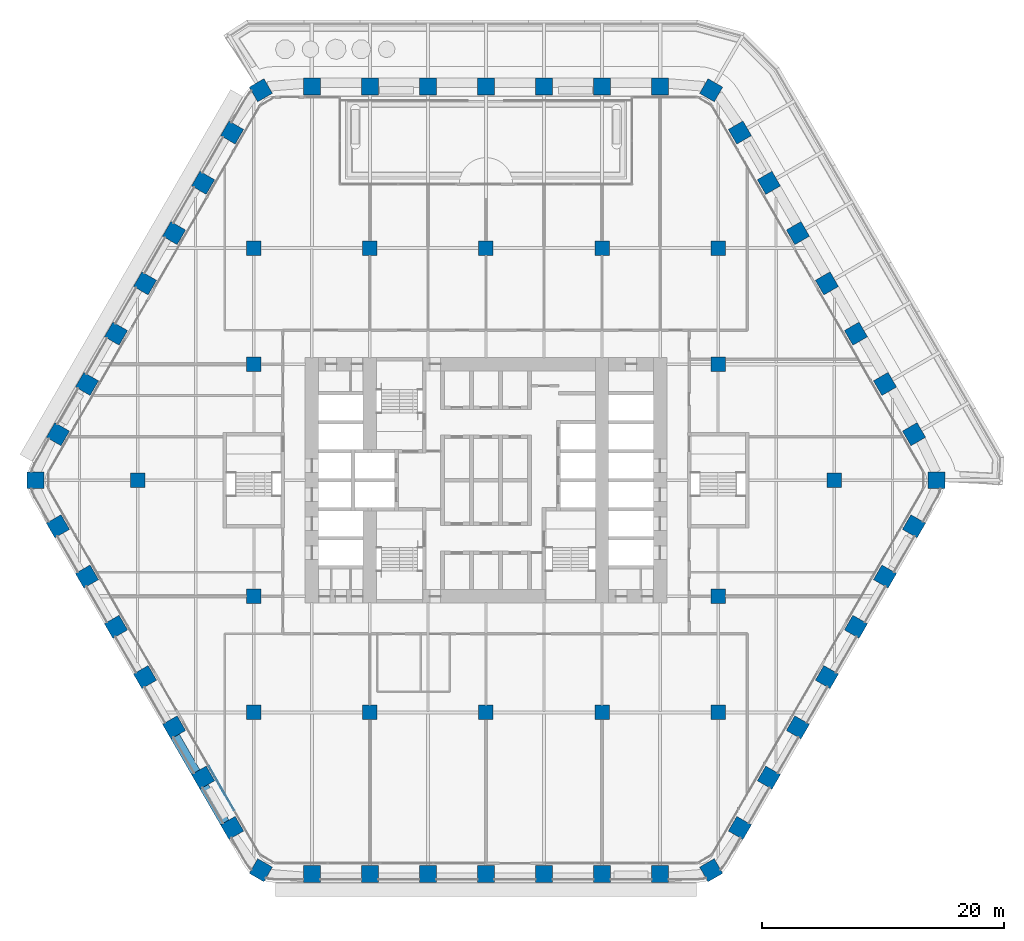
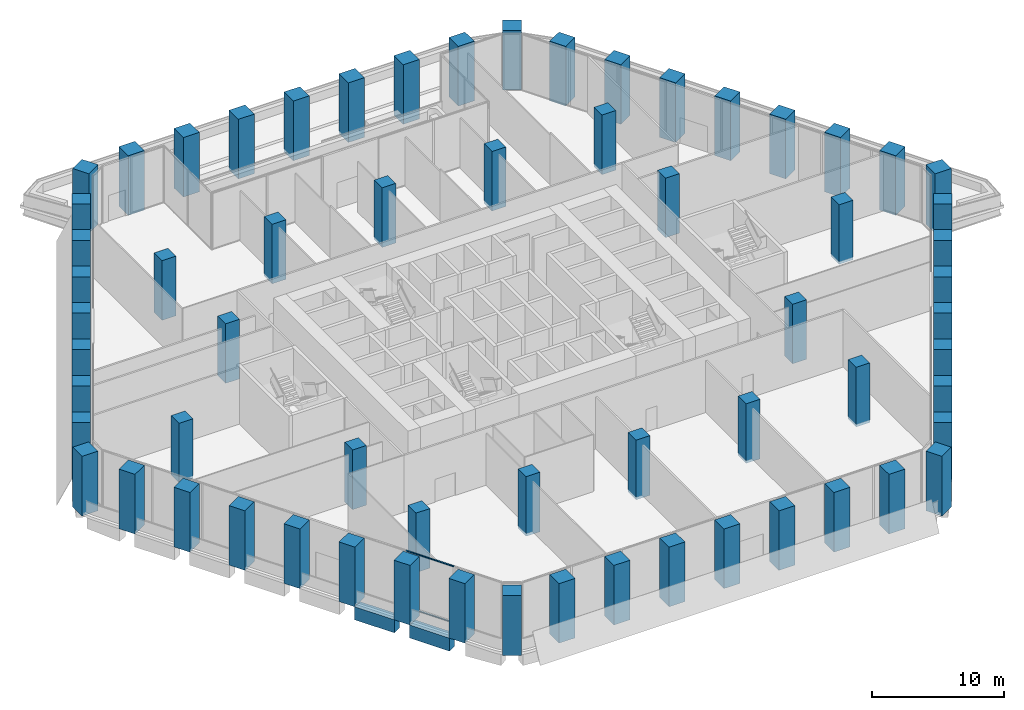
# One storey, part 1 of 30: 64 columns, 2 beams, 2 members, 1 element without a shape of its own.
"""IFC4 building model written with IfcOpenShell, lengths in metres."""

from ifc_helpers import new_model, si_unit, direction, frame, origin, origin_2d, place, context, subcontext, project, spatial, rectangle, extrude, material, material_profile, profile_set, type_object, element, aggregate, save


model = new_model("IFC4")

# Units and contexts
model_context = context("Model", 3, precision=1e-05, world=origin(), true_north=direction((0.0, 1.0)))
body_context = subcontext(model_context, "Body", "Model", "MODEL_VIEW")
ifc_project = project(units=[si_unit("LENGTHUNIT", "METRE"), si_unit("AREAUNIT", "SQUARE_METRE"), si_unit("VOLUMEUNIT", "CUBIC_METRE"), si_unit("PLANEANGLEUNIT", "RADIAN"), si_unit("MASSUNIT", "GRAM", prefix="KILO")], contexts=[model_context])

# Site, building, storey
site_placement = place(None, origin())
site = spatial("IfcSite", under=ifc_project, at=site_placement, CompositionType="ELEMENT")
building_placement = place(site_placement, origin())
building = spatial("IfcBuilding", under=site, at=building_placement, Name="Kolab Exchange Tower", CompositionType="ELEMENT")
storey_placement = place(building_placement, frame((0.0, 0.0, 38.89990234375)))
storey = spatial("IfcBuildingStorey", under=building, at=storey_placement, Name="L07", CompositionType="ELEMENT", Elevation=38.89990234375)

# Columns
ifc_material_1 = material(Name="Concrete C80/95", Category="concrete")
ifc_material_profile_1 = material_profile(ifc_material_1, rectangle(XDim=1.199951171875, YDim=1.199951171875, at=origin_2d()), Name="RC1200")
ifc_profile_set_1 = profile_set([ifc_material_profile_1], Name="Concrete C80/95")
column_type_1 = type_object("IfcColumnType", Name="INTERIOR COLUMN 1200 SQ C80/95", PredefinedType="COLUMN", material=ifc_profile_set_1)
for number, where, z_axis, x_axis, name in (
    (1, (-28.800048828125, 0.0, -0.25), (0.0, 0.0, 1.0), (1.0, 0.0, 0.0), "col/L07/I-G11"),
    (2, (-19.199951171875, -19.199951171875, -0.25), (0.0, 0.0, 1.0), (1.0, 0.0, 0.0), "col/L07/I-I7"),
    (3, (-19.199951171875, -9.60009765625, -0.25), (0.0, 0.0, 1.0), (1.0, 0.0, 0.0), "col/L07/I-I9"),
    (4, (-19.199951171875, 9.60009765625, -0.25), (0.0, 0.0, 1.0), (1.0, 0.0, 0.0), "col/L07/I-I13"),
    (5, (-19.199951171875, 19.199951171875, -0.25), (0.0, 0.0, 1.0), (1.0, 0.0, 0.0), "col/L07/I-I15"),
    (6, (-9.60009765625, -19.199951171875, -0.25), (0.0, 0.0, 1.0), (1.0, 0.0, 0.0), "col/L07/I-K7"),
    (7, (-9.60009765625, 19.199951171875, -0.25), (0.0, 0.0, 1.0), (1.0, 0.0, 0.0), "col/L07/I-K15"),
    (8, (0.0, -19.199951171875, -0.25), (0.0, 0.0, 1.0), (1.0, 0.0, 0.0), "col/L07/I-M7"),
    (9, (0.0, 19.199951171875, -0.25), (0.0, 0.0, 1.0), (1.0, 0.0, 0.0), "col/L07/I-M15"),
    (10, (9.60009765625, -19.199951171875, -0.25), (0.0, 0.0, 1.0), (1.0, 0.0, 0.0), "col/L07/I-O7"),
    (11, (9.60009765625, 19.199951171875, -0.25), (0.0, 0.0, 1.0), (1.0, 0.0, 0.0), "col/L07/I-O15"),
    (12, (19.199951171875, -19.199951171875, -0.25), (0.0, 0.0, 1.0), (1.0, 0.0, 0.0), "col/L07/I-Q7"),
    (13, (19.199951171875, -9.60009765625, -0.25), (0.0, 0.0, 1.0), (1.0, 0.0, 0.0), "col/L07/I-Q9"),
    (14, (19.199951171875, 9.60009765625, -0.25), (0.0, 0.0, 1.0), (1.0, 0.0, 0.0), "col/L07/I-Q13"),
    (15, (19.199951171875, 19.199951171875, -0.25), (0.0, 0.0, 1.0), (1.0, 0.0, 0.0), "col/L07/I-Q15"),
    (16, (28.800048828125, 0.0, -0.25), (0.0, 0.0, 1.0), (1.0, 0.0, 0.0), "col/L07/I-S11"),
):
    element("IfcColumn", number, at=place(storey_placement, frame(where, z_axis=z_axis, x_axis=x_axis)), inside=storey, type_object=column_type_1, Name=name, PredefinedType="COLUMN", context=body_context, shape_type="SweptSolid", body=[
        extrude(rectangle(XDim=1.199951171875, YDim=1.199951171875, at=origin_2d()), origin(), (0.0, 0.0, 1.0), 5.5),
    ])
ifc_material_profile_2 = material_profile(ifc_material_1, rectangle(XDim=1.39990234375, YDim=1.39990234375, at=origin_2d()), Name="RC1400")
ifc_profile_set_2 = profile_set([ifc_material_profile_2], Name="Concrete C80/95")
column_type_2 = type_object("IfcColumnType", Name="PERIMETER COLUMN 1400 SQ C80/95", PredefinedType="COLUMN", material=ifc_profile_set_2)
for number, where, z_axis, x_axis, name in (
    (17, (-18.617919921875, 32.247314453125, -0.25), (0.0, 0.0, 1.0), (0.866025403784, 0.5, 0.0), "col/L07/F1-01"),
    (18, (-14.39990234375, 32.555419921875, -0.25), (0.0, 0.0, 1.0), (1.0, 0.0, 0.0), "col/L07/F1-02"),
    (19, (-9.60009765625, 32.555419921875, -0.25), (0.0, 0.0, 1.0), (1.0, 0.0, 0.0), "col/L07/F1-03"),
    (20, (-4.800048828125, 32.555419921875, -0.25), (0.0, 0.0, 1.0), (1.0, 0.0, 0.0), "col/L07/F1-04"),
    (21, (0.0, 32.555419921875, -0.25), (0.0, 0.0, 1.0), (1.0, 0.0, 0.0), "col/L07/F1-05"),
    (22, (4.800048828125, 32.555419921875, -0.25), (0.0, 0.0, 1.0), (1.0, 0.0, 0.0), "col/L07/F1-06"),
    (23, (9.60009765625, 32.555419921875, -0.25), (0.0, 0.0, 1.0), (1.0, 0.0, 0.0), "col/L07/F1-07"),
    (24, (14.39990234375, 32.555419921875, -0.25), (0.0, 0.0, 1.0), (1.0, 0.0, 0.0), "col/L07/F1-08"),
    (25, (18.617919921875, 32.247314453125, -0.25), (0.0, 0.0, 1.0), (0.5, 0.866025403784, 0.0), "col/L07/F2-01"),
    (26, (20.993896484375, 28.74853515625, -0.25), (0.0, 0.0, 1.0), (0.866025403784, 0.5, 0.0), "col/L07/F2-02"),
    (27, (23.393798828125, 24.591552734375, -0.25), (0.0, 0.0, 1.0), (0.866025403784, 0.5, 0.0), "col/L07/F2-03"),
    (28, (25.793701171875, 20.4345703125, -0.25), (0.0, 0.0, 1.0), (0.866025403784, 0.5, 0.0), "col/L07/F2-04"),
    (29, (28.19384765625, 16.277587890625, -0.25), (0.0, 0.0, 1.0), (0.866025403784, 0.5, 0.0), "col/L07/F2-05"),
    (30, (30.59375, 12.120849609375, -0.25), (0.0, 0.0, 1.0), (0.866025403784, 0.5, 0.0), "col/L07/F2-06"),
    (31, (32.993896484375, 7.9638671875, -0.25), (0.0, 0.0, 1.0), (0.866025403784, 0.5, 0.0), "col/L07/F2-07"),
    (32, (35.393798828125, 3.806884765625, -0.25), (0.0, 0.0, 1.0), (0.866025403784, 0.5, 0.0), "col/L07/F2-08"),
    (33, (37.23583984375, 0.0, -0.25), (0.0, 0.0, 1.0), (1.0, 0.0, 0.0), "col/L07/F3-01"),
    (34, (35.393798828125, -3.806884765625, -0.25), (0.0, 0.0, 1.0), (0.5, 0.866025403784, 0.0), "col/L07/F3-02"),
    (35, (32.993896484375, -7.9638671875, -0.25), (0.0, 0.0, 1.0), (0.5, 0.866025403784, 0.0), "col/L07/F3-03"),
    (36, (30.59375, -12.120849609375, -0.25), (0.0, 0.0, 1.0), (0.5, 0.866025403784, 0.0), "col/L07/F3-04"),
    (37, (28.19384765625, -16.277587890625, -0.25), (0.0, 0.0, 1.0), (0.5, 0.866025403784, 0.0), "col/L07/F3-05"),
    (38, (25.793701171875, -20.4345703125, -0.25), (0.0, 0.0, 1.0), (0.5, 0.866025403784, 0.0), "col/L07/F3-06"),
    (39, (23.393798828125, -24.591552734375, -0.25), (0.0, 0.0, 1.0), (0.5, 0.866025403784, 0.0), "col/L07/F3-07"),
    (40, (20.993896484375, -28.74853515625, -0.25), (0.0, 0.0, 1.0), (0.5, 0.866025403784, 0.0), "col/L07/F3-08"),
    (41, (18.617919921875, -32.247314453125, -0.25), (0.0, 0.0, 1.0), (0.866025403784, 0.5, 0.0), "col/L07/F4-01"),
    (42, (14.39990234375, -32.555419921875, -0.25), (0.0, 0.0, 1.0), (1.0, 0.0, 0.0), "col/L07/F4-02"),
    (43, (9.60009765625, -32.555419921875, -0.25), (0.0, 0.0, 1.0), (1.0, 0.0, 0.0), "col/L07/F4-03"),
    (44, (4.800048828125, -32.555419921875, -0.25), (0.0, 0.0, 1.0), (1.0, 0.0, 0.0), "col/L07/F4-04"),
    (45, (0.0, -32.555419921875, -0.25), (0.0, 0.0, 1.0), (1.0, 0.0, 0.0), "col/L07/F4-05"),
    (46, (-4.800048828125, -32.555419921875, -0.25), (0.0, 0.0, 1.0), (1.0, 0.0, 0.0), "col/L07/F4-06"),
    (47, (-9.60009765625, -32.555419921875, -0.25), (0.0, 0.0, 1.0), (1.0, 0.0, 0.0), "col/L07/F4-07"),
    (48, (-14.39990234375, -32.555419921875, -0.25), (0.0, 0.0, 1.0), (1.0, 0.0, 0.0), "col/L07/F4-08"),
    (49, (-18.617919921875, -32.247314453125, -0.25), (0.0, 0.0, 1.0), (0.5, 0.866025403784, 0.0), "col/L07/F5-01"),
    (50, (-20.993896484375, -28.74853515625, -0.25), (0.0, 0.0, 1.0), (0.866025403784, 0.5, 0.0), "col/L07/F5-02"),
    (51, (-23.393798828125, -24.591552734375, -0.25), (0.0, 0.0, 1.0), (0.866025403784, 0.5, 0.0), "col/L07/F5-03"),
    (52, (-25.793701171875, -20.4345703125, -0.25), (0.0, 0.0, 1.0), (0.866025403784, 0.5, 0.0), "col/L07/F5-04"),
    (53, (-28.19384765625, -16.277587890625, -0.25), (0.0, 0.0, 1.0), (0.866025403784, 0.5, 0.0), "col/L07/F5-05"),
    (54, (-30.59375, -12.120849609375, -0.25), (0.0, 0.0, 1.0), (0.866025403784, 0.5, 0.0), "col/L07/F5-06"),
    (55, (-32.993896484375, -7.9638671875, -0.25), (0.0, 0.0, 1.0), (0.866025403784, 0.5, 0.0), "col/L07/F5-07"),
    (56, (-35.393798828125, -3.806884765625, -0.25), (0.0, 0.0, 1.0), (0.866025403784, 0.5, 0.0), "col/L07/F5-08"),
    (57, (-37.23583984375, 0.0, -0.25), (0.0, 0.0, 1.0), (1.0, 0.0, 0.0), "col/L07/F6-01"),
    (58, (-35.393798828125, 3.806884765625, -0.25), (0.0, 0.0, 1.0), (0.5, 0.866025403784, 0.0), "col/L07/F6-02"),
    (59, (-32.993896484375, 7.9638671875, -0.25), (0.0, 0.0, 1.0), (0.5, 0.866025403784, 0.0), "col/L07/F6-03"),
    (60, (-30.59375, 12.120849609375, -0.25), (0.0, 0.0, 1.0), (0.5, 0.866025403784, 0.0), "col/L07/F6-04"),
    (61, (-28.19384765625, 16.277587890625, -0.25), (0.0, 0.0, 1.0), (0.5, 0.866025403784, 0.0), "col/L07/F6-05"),
    (62, (-25.793701171875, 20.4345703125, -0.25), (0.0, 0.0, 1.0), (0.5, 0.866025403784, 0.0), "col/L07/F6-06"),
    (63, (-23.393798828125, 24.591552734375, -0.25), (0.0, 0.0, 1.0), (0.5, 0.866025403784, 0.0), "col/L07/F6-07"),
    (64, (-20.993896484375, 28.74853515625, -0.25), (0.0, 0.0, 1.0), (0.5, 0.866025403784, 0.0), "col/L07/F6-08"),
):
    element("IfcColumn", number, at=place(storey_placement, frame(where, z_axis=z_axis, x_axis=x_axis)), inside=storey, type_object=column_type_2, Name=name, PredefinedType="COLUMN", context=body_context, shape_type="SweptSolid", body=[
        extrude(rectangle(XDim=1.39990234375, YDim=1.39990234375, at=origin_2d()), origin(), (0.0, 0.0, 1.0), 5.5),
    ])

# Beams
ifc_material_profile_3 = material_profile(ifc_material_1, rectangle(XDim=0.800048828125, YDim=1.199951171875, at=origin_2d()), Name="RC800X1200")
ifc_profile_set_3 = profile_set([ifc_material_profile_3], Name="Concrete C80/95")
beam_type = type_object("IfcBeamType", Name="SPANDREL BEAM 800X1200 C80/95", PredefinedType="BEAM", material=ifc_profile_set_3)
beam_1_placement = place(storey_placement, frame((-21.58349609375, -28.326904296875, -0.849853515625), z_axis=(-0.499979528911, 0.866037222451, 0.0), x_axis=(-0.866037222451, -0.499979528911, 0.0)))
element("IfcBeam", 65, at=beam_1_placement, inside=storey, type_object=beam_type, Name="beam/L07/sp/F5-02", PredefinedType="BEAM", context=body_context, shape_type="SweptSolid", body=[
    extrude(rectangle(XDim=0.800048828125, YDim=1.199951171875, at=origin_2d()), origin(), (0.0, 0.0, 1.0), 3.480224609375),
])
beam_2_placement = place(storey_placement, frame((-23.983642578125, -24.169921875, -0.849853515625), z_axis=(-0.500009906705, 0.86601968407, 0.0), x_axis=(-0.86601968407, -0.500009906705, 0.0)))
element("IfcBeam", 66, at=beam_2_placement, inside=storey, type_object=beam_type, Name="beam/L07/sp/F5-03", PredefinedType="BEAM", context=body_context, shape_type="SweptSolid", body=[
    extrude(rectangle(XDim=0.800048828125, YDim=1.199951171875, at=origin_2d()), origin(), (0.0, 0.0, 1.0), 3.47998046875),
])

# Curtain wall, members
ifc_material_2 = material(Name="Aluminium EN AW-6063 T6", Category="aluminium")
curtain_wall_type = type_object("IfcCurtainWallType", Name="UNITISED LOW ZONE CURTAIN WALL", PredefinedType="NOTDEFINED", material=ifc_material_2)
curtain_wall_placement = place(storey_placement, origin())
curtain_wall = element("IfcCurtainWall", 67, at=curtain_wall_placement, inside=storey, type_object=curtain_wall_type, Name="cw/L07/F5-1", PredefinedType="NOTDEFINED")
ifc_material_profile_4 = material_profile(ifc_material_2, rectangle(XDim=0.06005859375, YDim=0.10009765625, at=origin_2d()), Name="RECT 60X100")
ifc_profile_set_4 = profile_set([ifc_material_profile_4], Name="Aluminium EN AW-6063 T6")
member_type = type_object("IfcMemberType", Name="UNITISED LOW ZONE TRANSOM 60 X 100", PredefinedType="USERDEFINED", material=ifc_profile_set_4)
member_1_placement = place(storey_placement, frame((-20.823974609375, -27.282470703125, 0.030029296875), z_axis=(-0.49999322259, 0.866029316688, 0.0), x_axis=(-0.866029316688, -0.49999322259, 0.0)))
member_1 = element("IfcMember", 68, at=member_1_placement, type_object=member_type, Name="CW1 transom 2.1", ObjectType="TRANSOM", PredefinedType="USERDEFINED", context=body_context, shape_type="SweptSolid", body=[
    extrude(rectangle(XDim=0.06005859375, YDim=0.10009765625, at=origin_2d()), origin(), (0.0, 0.0, 1.0), 4.16259765625),
])
member_2_placement = place(storey_placement, frame((-20.823974609375, -27.282470703125, 5.22021484375), z_axis=(-0.49999322259, 0.866029316688, 0.0), x_axis=(-0.866029316688, -0.49999322259, 0.0)))
member_2 = element("IfcMember", 69, at=member_2_placement, type_object=member_type, Name="CW1 transom 2.2", ObjectType="TRANSOM", PredefinedType="USERDEFINED", context=body_context, shape_type="SweptSolid", body=[
    extrude(rectangle(XDim=0.06005859375, YDim=0.10009765625, at=origin_2d()), origin(), (0.0, 0.0, 1.0), 4.16259765625),
])
aggregate(curtain_wall, [member_1, member_2])

save(model, "model.ifc")
